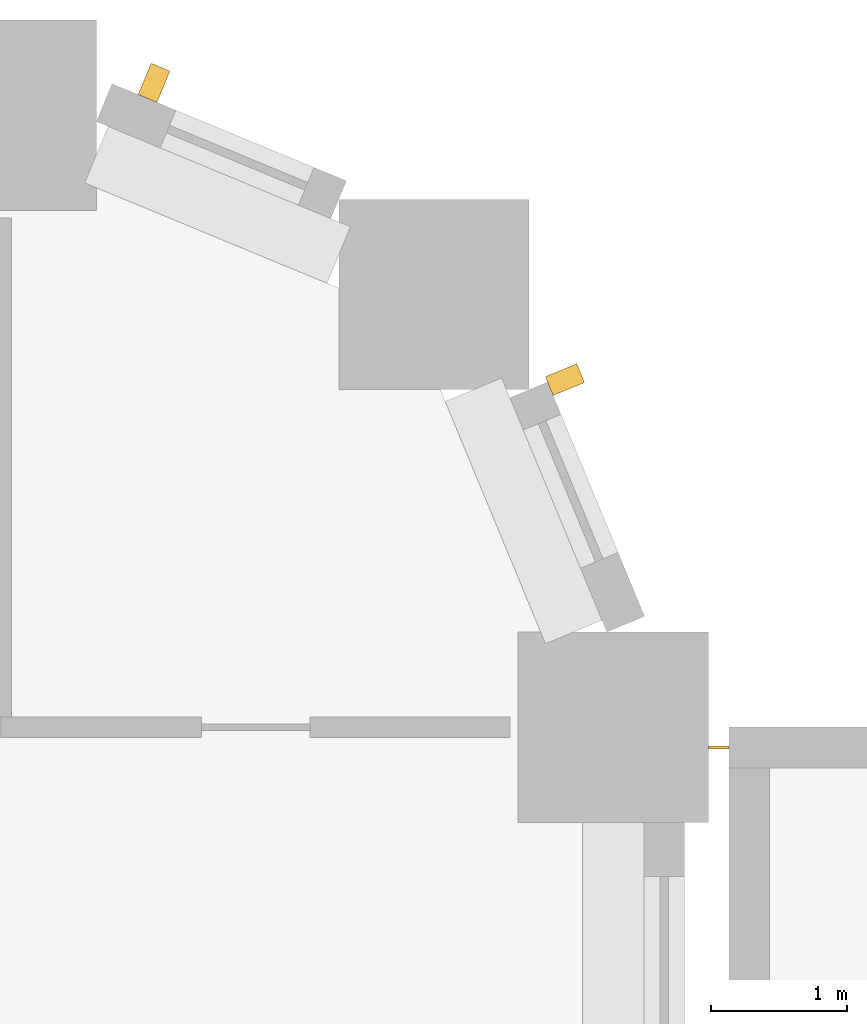
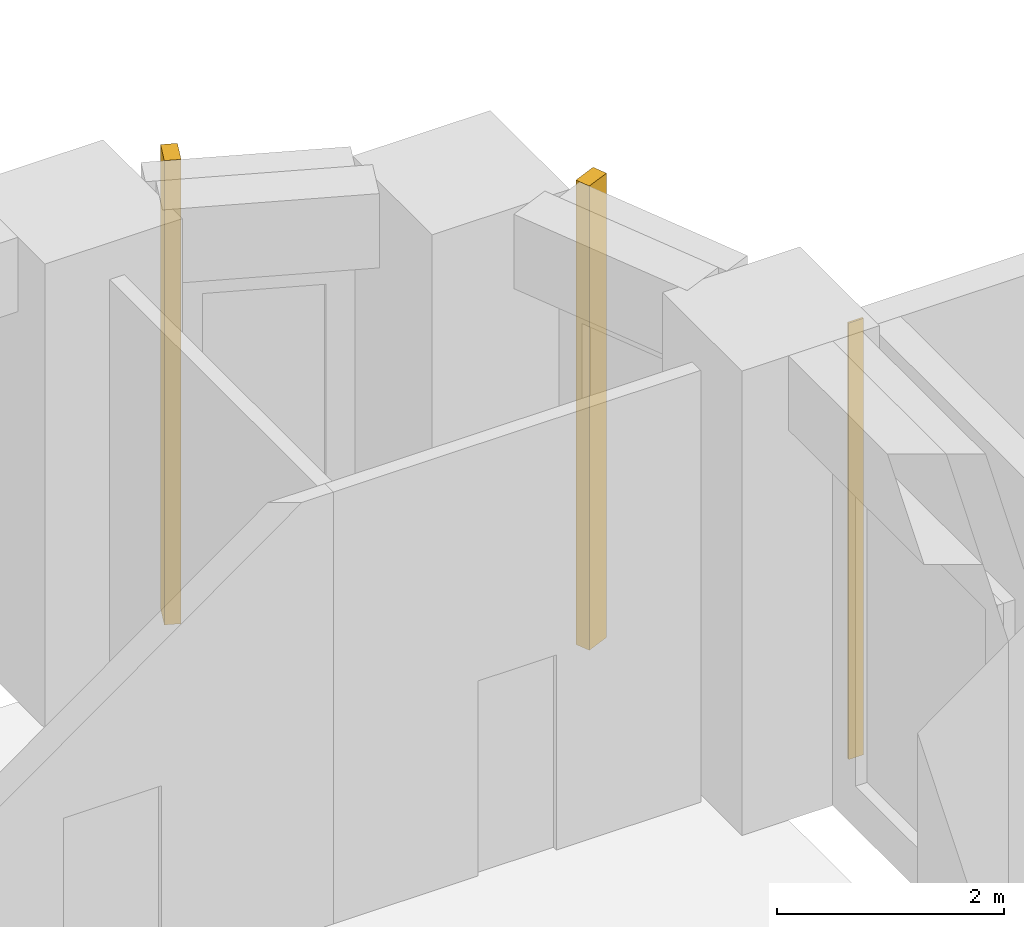
# One storey, part 21 of 24: 2 shading devices, 1 covering.
"""IFC4 building model written with IfcOpenShell, lengths in metres."""

from ifc_helpers import new_model, si_unit, direction, frame, origin, origin_2d, place, context, subcontext, project, spatial, rectangle, extrude, material, layer, layer_set, type_object, element, save


model = new_model("IFC4")

# Units and contexts
model_context = context("Model", 3, precision=1e-05, world=origin(), true_north=direction((0.0, 1.0)))
body_context = subcontext(model_context, "Body", "Model", "MODEL_VIEW")
ifc_project = project(units=[si_unit("LENGTHUNIT", "METRE"), si_unit("AREAUNIT", "SQUARE_METRE"), si_unit("VOLUMEUNIT", "CUBIC_METRE"), si_unit("PLANEANGLEUNIT", "RADIAN"), si_unit("MASSUNIT", "GRAM", prefix="KILO")], contexts=[model_context])

# Site, building, storey
site_placement = place(None, origin())
site = spatial("IfcSite", under=ifc_project, at=site_placement, CompositionType="ELEMENT")
building_placement = place(site_placement, origin())
building = spatial("IfcBuilding", under=site, at=building_placement, Name="Girih Gate Residences", CompositionType="ELEMENT")
storey_placement = place(building_placement, frame((0.0, 0.0, 11.0)))
storey = spatial("IfcBuildingStorey", under=building, at=storey_placement, Name="L02", CompositionType="ELEMENT", Elevation=11.0)

# Shading devices
ifc_material_1 = material(Name="Precast concrete C50/60", Category="concrete")
shading_device_type = type_object("IfcShadingDeviceType", Name="Corner rib 150x250", PredefinedType="USERDEFINED", material=ifc_material_1)
for number, where, z_axis, x_axis, name in (
    (1, (49.14501953125, 47.5556640625, 0.0), (0.0, 0.0, 1.0), (-0.382683432365, 0.923879532511, 0.0), "Corner rib NE0495_0450.0"),
    (2, (46.123779296875, 49.738037109375, 0.0), (0.0, 0.0, 1.0), (-0.923879532511, 0.382683432365, 0.0), "Corner rib NE0482_0482.0"),
):
    element("IfcShadingDevice", number, at=place(storey_placement, frame(where, z_axis=z_axis, x_axis=x_axis)), inside=storey, type_object=shading_device_type, Name=name, ObjectType="FIN", PredefinedType="USERDEFINED", context=body_context, shape_type="SweptSolid", body=[
        extrude(rectangle(XDim=0.14990234375, YDim=0.25, at=origin_2d()), origin(), (0.0, 0.0, 1.0), 5.0),
    ])

# Covering
ifc_material_2 = material(Name="Stainless steel cover plate", Category="steel")
ifc_layer = layer(ifc_material_2, 0.02001953125)
ifc_layer_set = layer_set([ifc_layer], Name="HC Movement joint cover plate")
covering_type = type_object("IfcCoveringType", Name="HC Movement joint cover plate", PredefinedType="CLADDING", material=ifc_layer_set)
covering_placement = place(storey_placement, frame((50.27490234375, 44.85009765625, 0.0), z_axis=(0.0, 0.0, 1.0), x_axis=(1.0, 0.0, 0.0)))
element("IfcCovering", 3, at=covering_placement, inside=storey, type_object=covering_type, Name="L02 joint between tower and health centre cover plate 2", PredefinedType="CLADDING", context=body_context, shape_type="SweptSolid", body=[
    extrude(rectangle(XDim=0.14990234375, YDim=0.02001953125, at=origin_2d()), origin(), (0.0, 0.0, 1.0), 4.699951171875),
])

save(model, "model.ifc")
